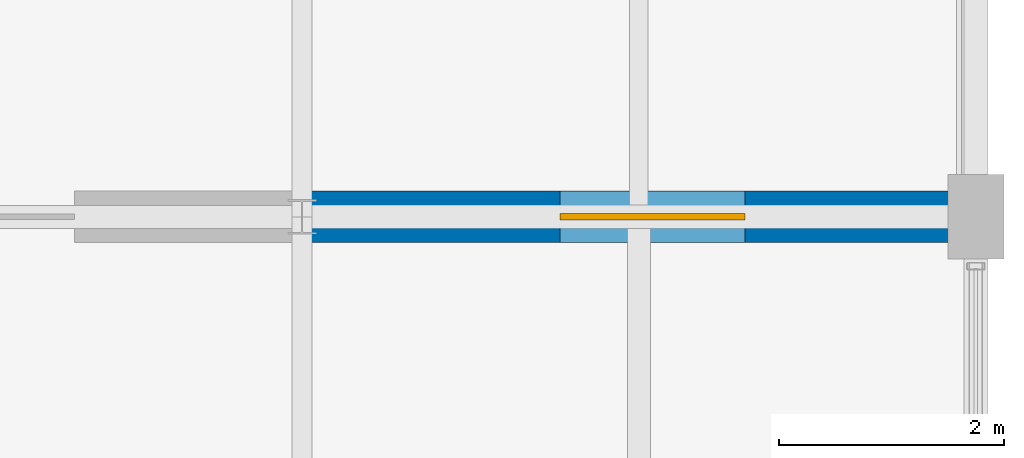
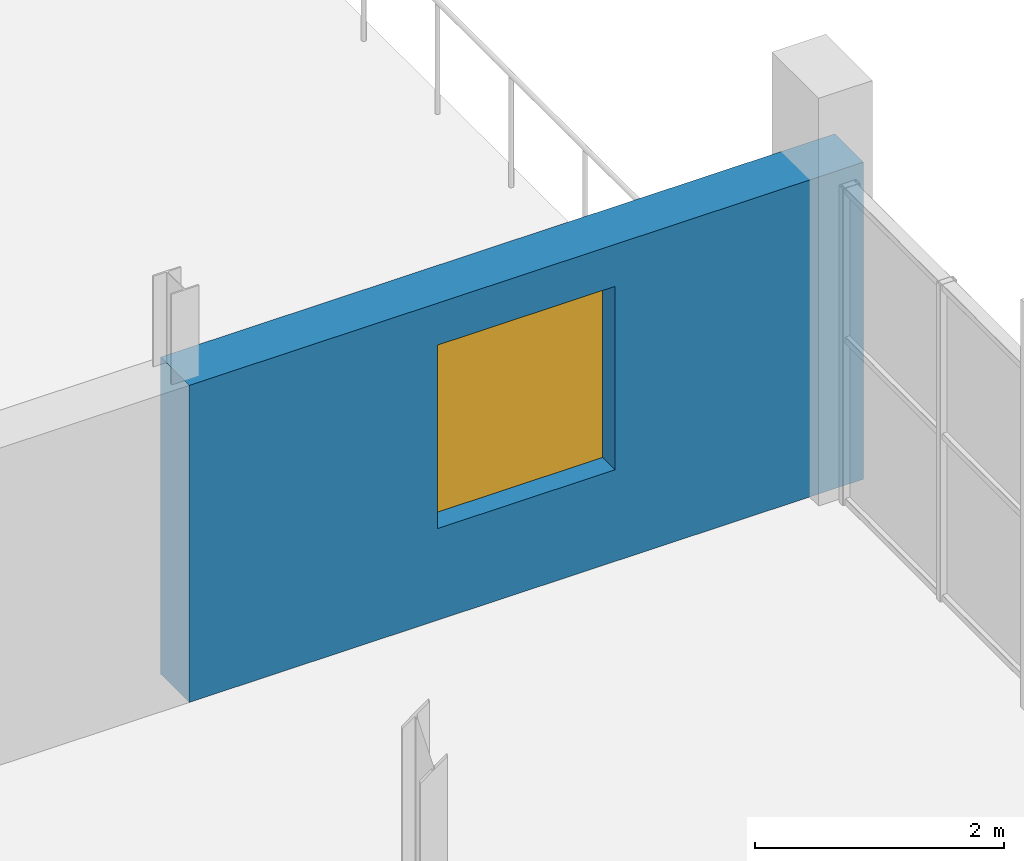
# One storey, part 91 of 96: 1 wall, 1 window, 1 opening.
"""IFC4 building model written with IfcOpenShell, lengths in metres."""

import ifcopenshell
import ifcopenshell.guid

model = None  # the IFC model being written
_history = None  # IfcOwnerHistory: only IFC2X3 demands one
_inside = {}  # id of a spatial element -> (the spatial element, [elements in it])
_under = {}  # id of a project, library or spatial element -> (it, [spatial elements below it])
_declared = {}  # id of a project -> (the project, [libraries it declares])
_typed = {}  # id of a type object -> (the type object, [elements of that type])
_made_of = {}  # id of a material, layer set ... -> (it, [elements and type objects made of it])


def new_model(schema):
    """Start an empty IFC model of exactly this schema.

    Asked for "IFC4X3", IfcOpenShell would pick the latest addendum, in which some entities
    have other attributes; the version numbers below select the first issue.
    IFC2X3 requires an IfcOwnerHistory on every rooted entity: one is made here for all.
    """
    global model, _history
    if schema == "IFC4X3":
        model = ifcopenshell.file(schema_version=(4, 3, 0, 0))
    else:
        model = ifcopenshell.file(schema=schema)
    _inside.clear()
    _under.clear()
    _declared.clear()
    _typed.clear()
    _made_of.clear()
    _history = None
    if model.schema == "IFC2X3":
        org = make("IfcOrganization", Name="unknown")
        user = make(
            "IfcPersonAndOrganization",
            ThePerson=make("IfcPerson", FamilyName="unknown"),
            TheOrganization=org,
        )
        app = make(
            "IfcApplication",
            ApplicationDeveloper=org,
            Version="unknown",
            ApplicationFullName="unknown",
            ApplicationIdentifier="unknown",
        )
        _history = make(
            "IfcOwnerHistory",
            OwningUser=user,
            OwningApplication=app,
            ChangeAction="ADDED",
            CreationDate=0,
        )
    return model


def make(cls, **values):
    """One entity of the class cls with the attributes given. An attribute that is None is left unset."""
    return model.create_entity(
        cls, **{name: value for name, value in values.items() if value is not None}
    )


def rooted(cls, **values):
    """An entity with a GlobalId (a new one), such as an element, a storey or a relation."""
    return make(cls, GlobalId=ifcopenshell.guid.new(), OwnerHistory=_history, **values)


def si_unit(unit_type, name, prefix=None):
    """IfcSIUnit, for example si_unit("LENGTHUNIT", "METRE", prefix="MILLI")."""
    return make("IfcSIUnit", UnitType=unit_type, Prefix=prefix, Name=name)


def assignment(units):
    """IfcUnitAssignment: the units of a project."""
    return None if units is None else make("IfcUnitAssignment", Units=units)


def point(xyz):
    """IfcCartesianPoint."""
    return None if xyz is None else make("IfcCartesianPoint", Coordinates=xyz)


def direction(xyz):
    """IfcDirection."""
    return None if xyz is None else make("IfcDirection", DirectionRatios=xyz)


def frame(location, z_axis=None, x_axis=None):
    """IfcAxis2Placement3D, a coordinate frame: its origin and axes. An axis left out is left unset."""
    return make(
        "IfcAxis2Placement3D",
        Location=point(location),
        Axis=direction(z_axis),
        RefDirection=direction(x_axis),
    )


def frame_2d(location, x_axis=None):
    """IfcAxis2Placement2D, a coordinate frame in the plane: its origin and x axis."""
    return make(
        "IfcAxis2Placement2D", Location=point(location), RefDirection=direction(x_axis)
    )


def origin():
    """The frame at (0, 0, 0) with its axes left unset."""
    return frame((0.0, 0.0, 0.0))


def place(relative_to, where):
    """IfcLocalPlacement: puts the frame where relative to a parent placement (None: the world)."""
    return make(
        "IfcLocalPlacement", PlacementRelTo=relative_to, RelativePlacement=where
    )


def context(
    kind, dimensions, precision=None, world=None, true_north=None, identifier=None
):
    """IfcGeometricRepresentationContext, for example the 3D "Model" context."""
    return make(
        "IfcGeometricRepresentationContext",
        ContextIdentifier=identifier,
        ContextType=kind,
        CoordinateSpaceDimension=dimensions,
        Precision=precision,
        WorldCoordinateSystem=world,
        TrueNorth=true_north,
    )


def subcontext(parent, identifier, kind, view, scale=None):
    """IfcGeometricRepresentationSubContext, for example "Body" below "Model"."""
    return make(
        "IfcGeometricRepresentationSubContext",
        ContextIdentifier=identifier,
        ContextType=kind,
        ParentContext=parent,
        TargetScale=scale,
        TargetView=view,
    )


def project(units=None, contexts=None):
    """IfcProject with its units and contexts."""
    return rooted(
        "IfcProject",
        Name="project",
        RepresentationContexts=contexts,
        UnitsInContext=assignment(units),
    )


def spatial(cls, under=None, at=None, **own):
    """A site, building, storey or space (cls), placed at a placement, below another one or the project."""
    s = rooted(cls, ObjectPlacement=at, **own)
    if under is not None:
        _under.setdefault(under.id(), (under, []))[1].append(s)
    return s


def profile(cls, at=None, kind="AREA", **sizes):
    """A parametric profile (cls). Its sizes go by their IFC names, for example OverallWidth=200.0."""
    return make(cls, ProfileType=kind, Position=at, **sizes)


def rectangle(**sizes):
    """IfcRectangleProfileDef."""
    return profile("IfcRectangleProfileDef", **sizes)


def extrude(swept, where, along, depth):
    """IfcExtrudedAreaSolid: the profile swept, set in the frame where, extruded along a direction by depth."""
    return make(
        "IfcExtrudedAreaSolid",
        SweptArea=swept,
        Position=where,
        ExtrudedDirection=direction(along),
        Depth=depth,
    )


def shape(context_of_items, identifier, shape_type, items):
    """IfcShapeRepresentation: the items that make up one representation, for example the "Body"."""
    return make(
        "IfcShapeRepresentation",
        ContextOfItems=context_of_items,
        RepresentationIdentifier=identifier,
        RepresentationType=shape_type,
        Items=items,
    )


def material(Name=None, Category=None):
    """IfcMaterial."""
    return make("IfcMaterial", Name=Name, Category=Category)


def layer(
    of_material, thickness, ventilated=None, Name=None, Category=None, Priority=None
):
    """IfcMaterialLayer: one layer of a wall or slab, of a material (None: an air gap)."""
    return make(
        "IfcMaterialLayer",
        Material=of_material,
        LayerThickness=thickness,
        IsVentilated=ventilated,
        Name=Name,
        Category=Category,
        Priority=Priority,
    )


def layer_set(layers, Name=None):
    """IfcMaterialLayerSet."""
    return make("IfcMaterialLayerSet", MaterialLayers=layers, LayerSetName=Name)


def made_of(thing, what):
    """Note that an element or type object is made of a material, layer set ...; save() writes the relation."""
    if what is not None:
        _made_of.setdefault(what.id(), (what, []))[1].append(thing)
    return thing


def type_object(cls, material=None, **own):
    """A type object (cls), such as IfcWallType, which elements share."""
    return made_of(rooted(cls, **own), material)


def element(
    cls,
    number,
    at=None,
    inside=None,
    cuts=None,
    type_object=None,
    material=None,
    context=None,
    identifier="Body",
    shape_type=None,
    held_by="IfcProductDefinitionShape",
    body=None,
    shapes=None,
    **own,
):
    """One element of the class cls, such as IfcWall. Its Tag is "e" and its number.

    at: its placement. inside: the storey or other place that contains it. cuts: it is an
    opening in that element (IfcRelVoidsElement). A single representation is given by context,
    identifier, shape_type and body (its items); several are given by shapes. held_by: the class
    of the entity that holds the representations. save() writes the other relations.
    """
    e = rooted(cls, Tag="e%d" % number, ObjectPlacement=at, **own)
    if body is not None:
        shapes = [shape(context, identifier, shape_type, body)]
    if shapes is not None:
        e.Representation = make(held_by, Representations=shapes)
    if inside is not None:
        _inside.setdefault(inside.id(), (inside, []))[1].append(e)
    if cuts is not None:
        rooted(
            "IfcRelVoidsElement", RelatingBuildingElement=cuts, RelatedOpeningElement=e
        )
    if type_object is not None:
        _typed.setdefault(type_object.id(), (type_object, []))[1].append(e)
    return made_of(e, material)


def fill(opening, filler):
    """IfcRelFillsElement: the door or window that sits in an opening."""
    return rooted(
        "IfcRelFillsElement",
        RelatingOpeningElement=opening,
        RelatedBuildingElement=filler,
    )


def aggregate(whole, parts):
    """IfcRelAggregates: a whole, such as a stair, and the parts it consists of."""
    return rooted("IfcRelAggregates", RelatingObject=whole, RelatedObjects=parts)


def save(model, path):
    """Write the relations noted so far, then the file.

    IfcRelAggregates (storeys below a building ...), IfcRelContainedInSpatialStructure (elements
    in a storey), IfcRelDefinesByType, IfcRelAssociatesMaterial and IfcRelDeclares: one each for
    every whole, place, type object, material and project.
    """
    for whole, parts in _under.values():
        aggregate(whole, parts)
    for where, things in _inside.values():
        rooted(
            "IfcRelContainedInSpatialStructure",
            RelatedElements=things,
            RelatingStructure=where,
        )
    for kind, things in _typed.values():
        rooted("IfcRelDefinesByType", RelatedObjects=things, RelatingType=kind)
    for what, things in _made_of.values():
        rooted("IfcRelAssociatesMaterial", RelatedObjects=things, RelatingMaterial=what)
    for by, libraries in _declared.values():
        rooted("IfcRelDeclares", RelatingContext=by, RelatedDefinitions=libraries)
    model.write(path)


model = new_model("IFC4")

# Units and contexts
model_context = context("Model", 3, precision=1e-05, world=origin(), true_north=direction((0.0, 1.0)))
body_context = subcontext(model_context, "Body", "Model", "MODEL_VIEW")
ifc_project = project(units=[si_unit("LENGTHUNIT", "METRE"), si_unit("AREAUNIT", "SQUARE_METRE"), si_unit("VOLUMEUNIT", "CUBIC_METRE"), si_unit("PLANEANGLEUNIT", "RADIAN"), si_unit("MASSUNIT", "GRAM", prefix="KILO")], contexts=[model_context])

# Site, building, storey
site_placement = place(None, origin())
site = spatial("IfcSite", under=ifc_project, at=site_placement, CompositionType="ELEMENT")
building_placement = place(site_placement, origin())
building = spatial("IfcBuilding", under=site, at=building_placement, Name="Verrall Gate Interchange", CompositionType="ELEMENT")
storey_placement = place(building_placement, frame((0.0, 0.0, 11.39990234375)))
storey = spatial("IfcBuildingStorey", under=building, at=storey_placement, Name="L03", CompositionType="ELEMENT", Elevation=11.39990234375)

# Wall, opening, window
ifc_material_1 = material(Name="Tyndall Dolomitic Limestone Ashlar Cavity Assembly (U=0.18)", Category="masonry")
ifc_layer = layer(ifc_material_1, 0.4599609375)
ifc_layer_set = layer_set([ifc_layer], Name="Tyndall Dolomitic Limestone Ashlar Cavity Assembly (U=0.18)")
wall_type = type_object("IfcWallType", Name="EW-02 Exterior Solid Wall 460", PredefinedType="SOLIDWALL", material=ifc_layer_set)
wall_placement = place(storey_placement, frame((168.25, 44.0, 0.0), z_axis=(0.0, 0.0, 1.0), x_axis=(-1.0, 0.0, 0.0)))
wall = element("IfcWall", 1, at=wall_placement, inside=storey, type_object=wall_type, Name="L03 Classical Limestone Facade Wall 099", PredefinedType="SOLIDWALL", context=body_context, shape_type="SweptSolid", body=[
    extrude(rectangle(XDim=6.258056640625, YDim=0.4599609375, at=frame_2d((3.12890625, 0.0))), origin(), (0.0, 0.0, 1.0), 3.111083984375),
])
opening_placement = place(wall_placement, frame((2.303955078125, 0.0, 0.89990234375)))
opening = element("IfcOpeningElement", 2, at=opening_placement, cuts=wall, Name="Opening WN-04", PredefinedType="OPENING", context=body_context, shape_type="SweptSolid", body=[
    extrude(rectangle(XDim=1.64990234375, YDim=1.800048828125, at=frame_2d((0.824951171875, 0.89990234375))), frame((0.0, 0.244873046875, 0.0), z_axis=(0.0, -1.0, 0.0), x_axis=(1.0, 0.0, 0.0)), (0.0, 0.0, 1.0), 0.48974609375),
])
ifc_material_2 = material(Name="Triple-Glazed Low-E Argon Bronze-Clad Window Unit (U=1.40)", Category="glass")
window_type = type_object("IfcWindowType", Name="WN-04 Classical Deep-Reveal Window 1650x1800", PartitioningType="SINGLE_PANEL", PredefinedType="WINDOW", material=ifc_material_2)
window_placement = place(opening_placement, origin())
window = element("IfcWindow", 3, at=window_placement, inside=storey, type_object=window_type, Name="L03 Classical Window 048 (WN-04)", OverallHeight=1.800048828125, OverallWidth=1.64990234375, PartitioningType="SINGLE_PANEL", PredefinedType="WINDOW", context=body_context, shape_type="SweptSolid", body=[
    extrude(rectangle(XDim=1.64990234375, YDim=1.800048828125, at=frame_2d((0.824951171875, 0.89990234375))), frame((0.0, 0.030029296875, 0.0), z_axis=(0.0, -1.0, 0.0), x_axis=(1.0, 0.0, 0.0)), (0.0, 0.0, 1.0), 0.06005859375),
])
fill(opening, window)

save(model, "model.ifc")
